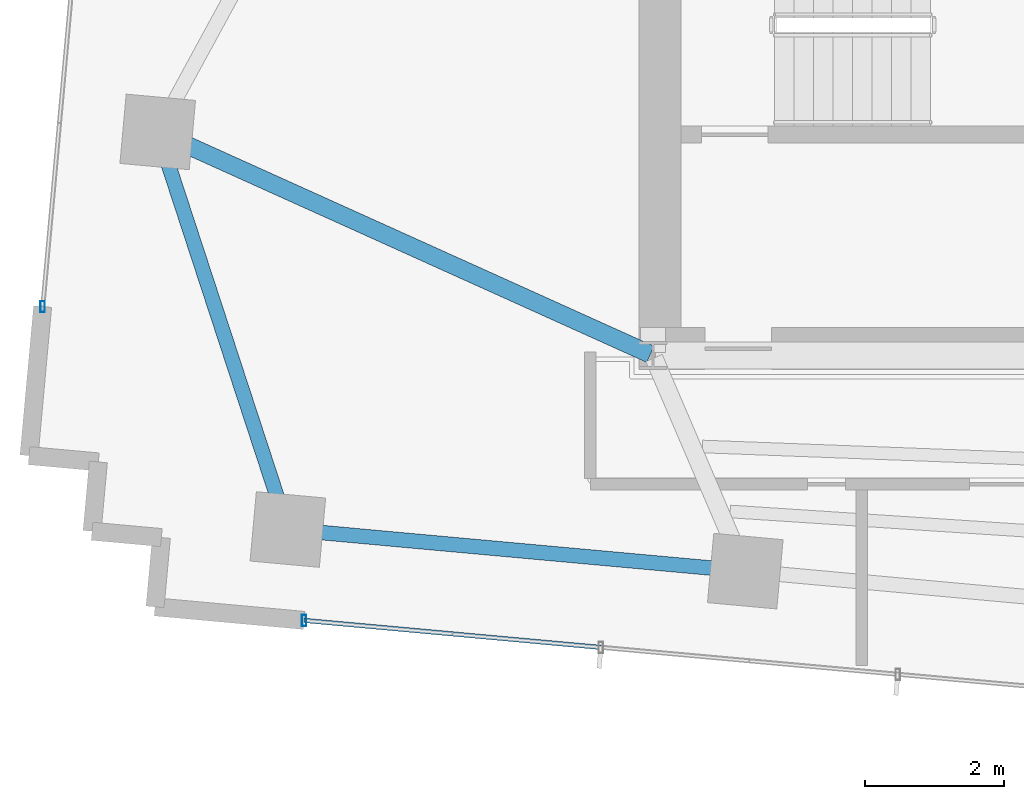
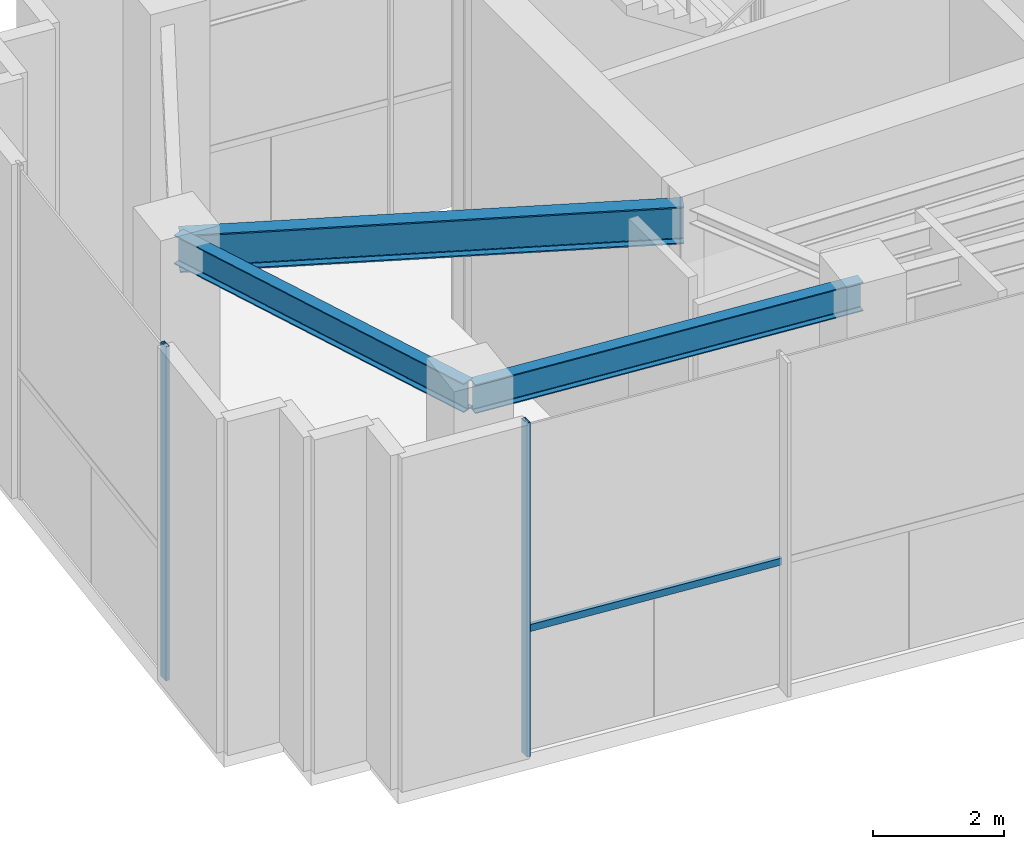
# One storey, part 2 of 14: 3 beams, 3 members, 2 elements without a shape of their own.
"""IFC4 building model written with IfcOpenShell, lengths in metres."""

import ifcopenshell
import ifcopenshell.guid

model = None  # the IFC model being written
_history = None  # IfcOwnerHistory: only IFC2X3 demands one
_inside = {}  # id of a spatial element -> (the spatial element, [elements in it])
_under = {}  # id of a project, library or spatial element -> (it, [spatial elements below it])
_declared = {}  # id of a project -> (the project, [libraries it declares])
_typed = {}  # id of a type object -> (the type object, [elements of that type])
_made_of = {}  # id of a material, layer set ... -> (it, [elements and type objects made of it])


def new_model(schema):
    """Start an empty IFC model of exactly this schema.

    Asked for "IFC4X3", IfcOpenShell would pick the latest addendum, in which some entities
    have other attributes; the version numbers below select the first issue.
    IFC2X3 requires an IfcOwnerHistory on every rooted entity: one is made here for all.
    """
    global model, _history
    if schema == "IFC4X3":
        model = ifcopenshell.file(schema_version=(4, 3, 0, 0))
    else:
        model = ifcopenshell.file(schema=schema)
    _inside.clear()
    _under.clear()
    _declared.clear()
    _typed.clear()
    _made_of.clear()
    _history = None
    if model.schema == "IFC2X3":
        org = make("IfcOrganization", Name="unknown")
        user = make(
            "IfcPersonAndOrganization",
            ThePerson=make("IfcPerson", FamilyName="unknown"),
            TheOrganization=org,
        )
        app = make(
            "IfcApplication",
            ApplicationDeveloper=org,
            Version="unknown",
            ApplicationFullName="unknown",
            ApplicationIdentifier="unknown",
        )
        _history = make(
            "IfcOwnerHistory",
            OwningUser=user,
            OwningApplication=app,
            ChangeAction="ADDED",
            CreationDate=0,
        )
    return model


def make(cls, **values):
    """One entity of the class cls with the attributes given. An attribute that is None is left unset."""
    return model.create_entity(
        cls, **{name: value for name, value in values.items() if value is not None}
    )


def rooted(cls, **values):
    """An entity with a GlobalId (a new one), such as an element, a storey or a relation."""
    return make(cls, GlobalId=ifcopenshell.guid.new(), OwnerHistory=_history, **values)


def si_unit(unit_type, name, prefix=None):
    """IfcSIUnit, for example si_unit("LENGTHUNIT", "METRE", prefix="MILLI")."""
    return make("IfcSIUnit", UnitType=unit_type, Prefix=prefix, Name=name)


def assignment(units):
    """IfcUnitAssignment: the units of a project."""
    return None if units is None else make("IfcUnitAssignment", Units=units)


def point(xyz):
    """IfcCartesianPoint."""
    return None if xyz is None else make("IfcCartesianPoint", Coordinates=xyz)


def direction(xyz):
    """IfcDirection."""
    return None if xyz is None else make("IfcDirection", DirectionRatios=xyz)


def frame(location, z_axis=None, x_axis=None):
    """IfcAxis2Placement3D, a coordinate frame: its origin and axes. An axis left out is left unset."""
    return make(
        "IfcAxis2Placement3D",
        Location=point(location),
        Axis=direction(z_axis),
        RefDirection=direction(x_axis),
    )


def frame_2d(location, x_axis=None):
    """IfcAxis2Placement2D, a coordinate frame in the plane: its origin and x axis."""
    return make(
        "IfcAxis2Placement2D", Location=point(location), RefDirection=direction(x_axis)
    )


def origin():
    """The frame at (0, 0, 0) with its axes left unset."""
    return frame((0.0, 0.0, 0.0))


def origin_2d():
    """The frame at (0, 0) in the plane with its x axis left unset."""
    return frame_2d((0.0, 0.0))


def place(relative_to, where):
    """IfcLocalPlacement: puts the frame where relative to a parent placement (None: the world)."""
    return make(
        "IfcLocalPlacement", PlacementRelTo=relative_to, RelativePlacement=where
    )


def context(
    kind, dimensions, precision=None, world=None, true_north=None, identifier=None
):
    """IfcGeometricRepresentationContext, for example the 3D "Model" context."""
    return make(
        "IfcGeometricRepresentationContext",
        ContextIdentifier=identifier,
        ContextType=kind,
        CoordinateSpaceDimension=dimensions,
        Precision=precision,
        WorldCoordinateSystem=world,
        TrueNorth=true_north,
    )


def subcontext(parent, identifier, kind, view, scale=None):
    """IfcGeometricRepresentationSubContext, for example "Body" below "Model"."""
    return make(
        "IfcGeometricRepresentationSubContext",
        ContextIdentifier=identifier,
        ContextType=kind,
        ParentContext=parent,
        TargetScale=scale,
        TargetView=view,
    )


def project(units=None, contexts=None):
    """IfcProject with its units and contexts."""
    return rooted(
        "IfcProject",
        Name="project",
        RepresentationContexts=contexts,
        UnitsInContext=assignment(units),
    )


def spatial(cls, under=None, at=None, **own):
    """A site, building, storey or space (cls), placed at a placement, below another one or the project."""
    s = rooted(cls, ObjectPlacement=at, **own)
    if under is not None:
        _under.setdefault(under.id(), (under, []))[1].append(s)
    return s


def profile(cls, at=None, kind="AREA", **sizes):
    """A parametric profile (cls). Its sizes go by their IFC names, for example OverallWidth=200.0."""
    return make(cls, ProfileType=kind, Position=at, **sizes)


def hollow_rectangle(**sizes):
    """IfcRectangleHollowProfileDef."""
    return profile("IfcRectangleHollowProfileDef", **sizes)


def i_section(**sizes):
    """IfcIShapeProfileDef."""
    return profile("IfcIShapeProfileDef", **sizes)


def extrude(swept, where, along, depth):
    """IfcExtrudedAreaSolid: the profile swept, set in the frame where, extruded along a direction by depth."""
    return make(
        "IfcExtrudedAreaSolid",
        SweptArea=swept,
        Position=where,
        ExtrudedDirection=direction(along),
        Depth=depth,
    )


def shape(context_of_items, identifier, shape_type, items):
    """IfcShapeRepresentation: the items that make up one representation, for example the "Body"."""
    return make(
        "IfcShapeRepresentation",
        ContextOfItems=context_of_items,
        RepresentationIdentifier=identifier,
        RepresentationType=shape_type,
        Items=items,
    )


def source(mapping_origin, context_of_items, identifier, shape_type, items):
    """IfcRepresentationMap: a shape defined once, which mapped items show again and again."""
    return make(
        "IfcRepresentationMap",
        MappingOrigin=mapping_origin,
        MappedRepresentation=shape(context_of_items, identifier, shape_type, items),
    )


def transform(
    local_origin,
    x_axis=None,
    y_axis=None,
    z_axis=None,
    scale=None,
    scale2=None,
    scale3=None,
    uniform=True,
):
    """IfcCartesianTransformationOperator3D, or its non-uniform kind. x_axis, y_axis, z_axis: its Axis1, 2, 3."""
    if uniform:
        return make(
            "IfcCartesianTransformationOperator3D",
            Axis1=direction(x_axis),
            Axis2=direction(y_axis),
            LocalOrigin=point(local_origin),
            Scale=scale,
            Axis3=direction(z_axis),
        )
    return make(
        "IfcCartesianTransformationOperator3DnonUniform",
        Axis1=direction(x_axis),
        Axis2=direction(y_axis),
        LocalOrigin=point(local_origin),
        Scale=scale,
        Axis3=direction(z_axis),
        Scale2=scale2,
        Scale3=scale3,
    )


def mapped(mapping_source, mapping_target):
    """IfcMappedItem: shows the shape of a source again, moved by a transform."""
    return make(
        "IfcMappedItem", MappingSource=mapping_source, MappingTarget=mapping_target
    )


def material(Name=None, Category=None):
    """IfcMaterial."""
    return make("IfcMaterial", Name=Name, Category=Category)


def material_profile(
    of_material, cross_section, Name=None, Category=None, Priority=None
):
    """IfcMaterialProfile: a cross section and its material."""
    return make(
        "IfcMaterialProfile",
        Name=Name,
        Material=of_material,
        Profile=cross_section,
        Priority=Priority,
        Category=Category,
    )


def profile_set(profiles, Name=None, composite=None):
    """IfcMaterialProfileSet."""
    return make(
        "IfcMaterialProfileSet",
        Name=Name,
        MaterialProfiles=profiles,
        CompositeProfile=composite,
    )


def made_of(thing, what):
    """Note that an element or type object is made of a material, layer set ...; save() writes the relation."""
    if what is not None:
        _made_of.setdefault(what.id(), (what, []))[1].append(thing)
    return thing


def type_object(cls, material=None, **own):
    """A type object (cls), such as IfcWallType, which elements share."""
    return made_of(rooted(cls, **own), material)


def type_shapes(of_type, sources):
    """Give a type object the sources (RepresentationMaps) that its elements show as mapped items."""
    of_type.RepresentationMaps = sources


def element(
    cls,
    number,
    at=None,
    inside=None,
    cuts=None,
    type_object=None,
    material=None,
    context=None,
    identifier="Body",
    shape_type=None,
    held_by="IfcProductDefinitionShape",
    body=None,
    shapes=None,
    **own,
):
    """One element of the class cls, such as IfcWall. Its Tag is "e" and its number.

    at: its placement. inside: the storey or other place that contains it. cuts: it is an
    opening in that element (IfcRelVoidsElement). A single representation is given by context,
    identifier, shape_type and body (its items); several are given by shapes. held_by: the class
    of the entity that holds the representations. save() writes the other relations.
    """
    e = rooted(cls, Tag="e%d" % number, ObjectPlacement=at, **own)
    if body is not None:
        shapes = [shape(context, identifier, shape_type, body)]
    if shapes is not None:
        e.Representation = make(held_by, Representations=shapes)
    if inside is not None:
        _inside.setdefault(inside.id(), (inside, []))[1].append(e)
    if cuts is not None:
        rooted(
            "IfcRelVoidsElement", RelatingBuildingElement=cuts, RelatedOpeningElement=e
        )
    if type_object is not None:
        _typed.setdefault(type_object.id(), (type_object, []))[1].append(e)
    return made_of(e, material)


def aggregate(whole, parts):
    """IfcRelAggregates: a whole, such as a stair, and the parts it consists of."""
    return rooted("IfcRelAggregates", RelatingObject=whole, RelatedObjects=parts)


def save(model, path):
    """Write the relations noted so far, then the file.

    IfcRelAggregates (storeys below a building ...), IfcRelContainedInSpatialStructure (elements
    in a storey), IfcRelDefinesByType, IfcRelAssociatesMaterial and IfcRelDeclares: one each for
    every whole, place, type object, material and project.
    """
    for whole, parts in _under.values():
        aggregate(whole, parts)
    for where, things in _inside.values():
        rooted(
            "IfcRelContainedInSpatialStructure",
            RelatedElements=things,
            RelatingStructure=where,
        )
    for kind, things in _typed.values():
        rooted("IfcRelDefinesByType", RelatedObjects=things, RelatingType=kind)
    for what, things in _made_of.values():
        rooted("IfcRelAssociatesMaterial", RelatedObjects=things, RelatingMaterial=what)
    for by, libraries in _declared.values():
        rooted("IfcRelDeclares", RelatingContext=by, RelatedDefinitions=libraries)
    model.write(path)


model = new_model("IFC4")

# Units and contexts
model_context = context("Model", 3, precision=1e-05, world=origin(), true_north=direction((0.0, 1.0)))
body_context = subcontext(model_context, "Body", "Model", "MODEL_VIEW")
ifc_project = project(units=[si_unit("LENGTHUNIT", "METRE"), si_unit("AREAUNIT", "SQUARE_METRE"), si_unit("VOLUMEUNIT", "CUBIC_METRE"), si_unit("PLANEANGLEUNIT", "RADIAN"), si_unit("MASSUNIT", "GRAM", prefix="KILO")], contexts=[model_context])

# Site, building, storey
site_placement = place(None, origin())
site = spatial("IfcSite", under=ifc_project, at=site_placement, CompositionType="ELEMENT")
building_placement = place(site_placement, origin())
building = spatial("IfcBuilding", under=site, at=building_placement, Name="Astriad Promenade Condominiums", CompositionType="ELEMENT")
storey_placement = place(building_placement, frame((0.0, 0.0, 270.800048828125)))
storey = spatial("IfcBuildingStorey", under=building, at=storey_placement, Name="L77", CompositionType="ELEMENT", Elevation=270.800048828125)

# Beams
ifc_material_1 = material(Name="Steel ASTM A992 Grade 50", Category="steel")
ifc_material_profile_1 = material_profile(ifc_material_1, i_section(OverallWidth=0.210693359375, OverallDepth=0.53955078125, WebThickness=0.01171875, FlangeThickness=0.018798828125, FilletRadius=0.0166015625, at=origin_2d()), Name="W21X73")
ifc_profile_set_1 = profile_set([ifc_material_profile_1], Name="Steel ASTM A992 Grade 50")
beam_type_1 = type_object("IfcBeamType", Name="STEEL SPANDREL BEAM W21X73", PredefinedType="SPANDREL", material=ifc_profile_set_1)
shared_shape_1 = source(origin(), body_context, "Body", "SweptSolid", [
    extrude(i_section(OverallWidth=0.210693359375, OverallDepth=0.53955078125, WebThickness=0.01171875, FlangeThickness=0.018798828125, FilletRadius=0.0166015625, at=origin_2d()), origin(), (0.0, 0.0, 1.0), 6.52001953125),
])
beam_1_placement = place(storey_placement, frame((21.19384765625, 14.8955078125, 5.9501953125), z_axis=(0.995882457091, -0.090653911438, 0.0), x_axis=(0.090653911438, 0.995882457091, 0.0)))
element("IfcBeam", 1, at=beam_1_placement, inside=storey, type_object=beam_type_1, Name="Perimeter Spandrel Beam SP-S1-L77", PredefinedType="SPANDREL", context=body_context, shape_type="MappedRepresentation", body=[
    mapped(shared_shape_1, transform((0.0, 0.0, 0.0), scale=1.0)),
])
shared_shape_2 = source(origin(), body_context, "Body", "SweptSolid", [
    extrude(i_section(OverallWidth=0.210693359375, OverallDepth=0.53955078125, WebThickness=0.01171875, FlangeThickness=0.018798828125, FilletRadius=0.0166015625, at=origin_2d()), origin(), (0.0, 0.0, 1.0), 5.931640625),
])
type_shapes(beam_type_1, [shared_shape_1, shared_shape_2])
beam_2_placement = place(storey_placement, frame((19.29638671875, 20.57421875, 5.9501953125), z_axis=(0.3110863773, -0.950381642215, 0.0), x_axis=(0.950381642215, 0.3110863773, 0.0)))
element("IfcBeam", 2, at=beam_2_placement, inside=storey, type_object=beam_type_1, Name="Perimeter Spandrel Beam SP-W1-L77", PredefinedType="SPANDREL", context=body_context, shape_type="MappedRepresentation", body=[
    mapped(shared_shape_2, transform((0.0, 0.0, 0.0), scale=1.0)),
])
ifc_material_profile_2 = material_profile(ifc_material_1, i_section(OverallWidth=0.255859375, OverallDepth=0.693115234375, WebThickness=0.014404296875, FlangeThickness=0.023681640625, FilletRadius=0.020263671875, at=origin_2d()), Name="W27X114")
ifc_profile_set_2 = profile_set([ifc_material_profile_2], Name="Steel ASTM A992 Grade 50")
beam_type_2 = type_object("IfcBeamType", Name="STEEL FLOOR GIRDER W27X114", PredefinedType="BEAM", material=ifc_profile_set_2)
shared_shape_3 = source(origin(), body_context, "Body", "SweptSolid", [
    extrude(i_section(OverallWidth=0.255859375, OverallDepth=0.693115234375, WebThickness=0.014404296875, FlangeThickness=0.023681640625, FilletRadius=0.020263671875, at=origin_2d()), origin(), (0.0, 0.0, 1.0), 7.727294921875),
])
type_shapes(beam_type_2, [shared_shape_3])
beam_3_placement = place(storey_placement, frame((19.320556640625, 20.595703125, 5.873291015625), z_axis=(0.911443223183, -0.411425875357, 0.0), x_axis=(0.411425875357, 0.911443223183, 0.0)))
element("IfcBeam", 3, at=beam_3_placement, inside=storey, type_object=beam_type_2, Name="Primary Floor Girder PG-WM-L77", PredefinedType="BEAM", context=body_context, shape_type="MappedRepresentation", body=[
    mapped(shared_shape_3, transform((0.0, 0.0, 0.0), scale=1.0)),
])

# Curtain wall, member
ifc_material_2 = material(Name="Anodised aluminium Black Dark Glass Unitised", Category="aluminium")
curtain_wall_type = type_object("IfcCurtainWallType", Name="CW-TMD-LANTERN", PredefinedType="USERDEFINED", material=ifc_material_2)
curtain_wall_1_placement = place(storey_placement, origin())
curtain_wall_1 = element("IfcCurtainWall", 4, at=curtain_wall_1_placement, inside=storey, type_object=curtain_wall_type, Name="CW-LNT-L77-18-1", ObjectType="UNITISED_CURTAIN_WALL", PredefinedType="USERDEFINED")
ifc_material_3 = material(Name="Anodised aluminium 6063-T6 Black", Category="aluminium")
ifc_material_profile_3 = material_profile(ifc_material_3, hollow_rectangle(XDim=0.06494140625, YDim=0.1298828125, WallThickness=0.00390625, at=origin_2d()), Name="ALU-TRN-65X130")
ifc_profile_set_3 = profile_set([ifc_material_profile_3], Name="Anodised aluminium 6063-T6 Black")
member_type_1 = type_object("IfcMemberType", Name="TRN-ALU-TRN-65X130", PredefinedType="USERDEFINED", material=ifc_profile_set_3)
shared_shape_4 = source(origin(), body_context, "Body", "SweptSolid", [
    extrude(hollow_rectangle(XDim=0.06494140625, YDim=0.1298828125, WallThickness=0.00390625, at=origin_2d()), origin(), (0.0, 0.0, 1.0), 4.283203125),
])
type_shapes(member_type_1, [shared_shape_4])
member_1_placement = place(storey_placement, frame((25.652099609375, 13.20458984375, 2.349853515625), z_axis=(-0.995884792497, 0.090628252065, 0.0), x_axis=(-0.090628252065, -0.995884792497, 0.0)))
member_1 = element("IfcMember", 5, at=member_1_placement, type_object=member_type_1, Name="CW-LNT-L77-18-1-TRN-05-0", ObjectType="TRANSOM", PredefinedType="USERDEFINED", context=body_context, shape_type="MappedRepresentation", body=[
    mapped(shared_shape_4, transform((0.0, 0.0, 0.0), scale=1.0)),
])

curtain_wall_2_placement = place(storey_placement, origin())
curtain_wall_2 = element("IfcCurtainWall", 6, at=curtain_wall_2_placement, inside=storey, type_object=curtain_wall_type, Name="CW-LNT-L77-03-1", ObjectType="UNITISED_CURTAIN_WALL", PredefinedType="USERDEFINED")
ifc_material_profile_4 = material_profile(ifc_material_3, hollow_rectangle(XDim=0.06494140625, YDim=0.159912109375, WallThickness=0.00390625, at=origin_2d()), Name="ALU-MUL-65X160")
ifc_profile_set_4 = profile_set([ifc_material_profile_4], Name="Anodised aluminium 6063-T6 Black")
member_type_2 = type_object("IfcMemberType", Name="MUL-ALU-MUL-65X160", PredefinedType="MULLION", material=ifc_profile_set_4)
shared_shape_5 = source(origin(), body_context, "Body", "SweptSolid", [
    extrude(hollow_rectangle(XDim=0.06494140625, YDim=0.159912109375, WallThickness=0.00390625, at=origin_2d()), origin(), (0.0, 0.0, 1.0), 6.219970703125),
])
type_shapes(member_type_2, [shared_shape_5])
member_2_placement = place(storey_placement, frame((17.6298828125, 18.101806640625, 0.0), z_axis=(0.0, 0.0, 1.0), x_axis=(1.0, 0.0, 0.0)))
member_2 = element("IfcMember", 7, at=member_2_placement, type_object=member_type_2, Name="CW-LNT-L77-03-1-MUL-00", PredefinedType="MULLION", context=body_context, shape_type="MappedRepresentation", body=[
    mapped(shared_shape_5, transform((0.0, 0.0, 0.0), scale=1.0)),
])
aggregate(curtain_wall_2, [member_2])

# Member
member_3_placement = place(storey_placement, frame((21.386474609375, 13.5927734375, 0.0), z_axis=(0.0, 0.0, 1.0), x_axis=(1.0, 0.0, 0.0)))
member_3 = element("IfcMember", 8, at=member_3_placement, type_object=member_type_2, Name="CW-LNT-L77-18-1-MUL-06", PredefinedType="MULLION", context=body_context, shape_type="MappedRepresentation", body=[
    mapped(shared_shape_5, transform((0.0, 0.0, 0.0), scale=1.0)),
])

aggregate(curtain_wall_1, [member_3, member_1])

save(model, "model.ifc")
